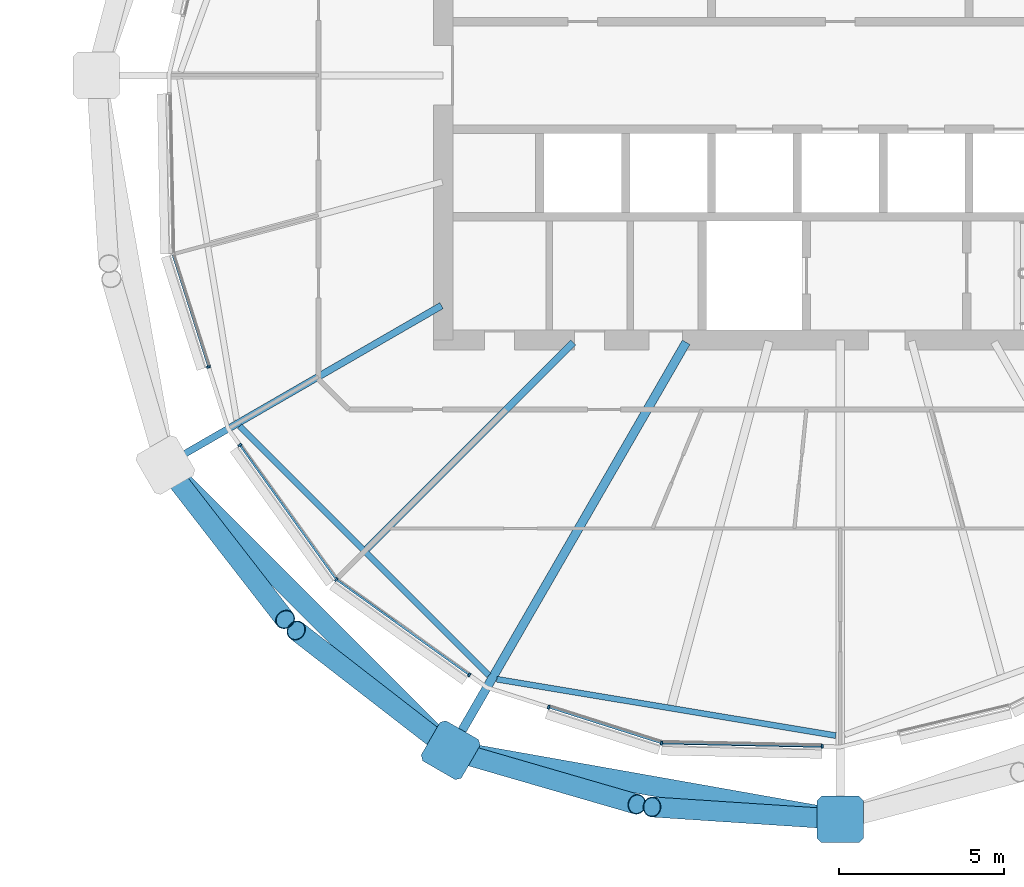
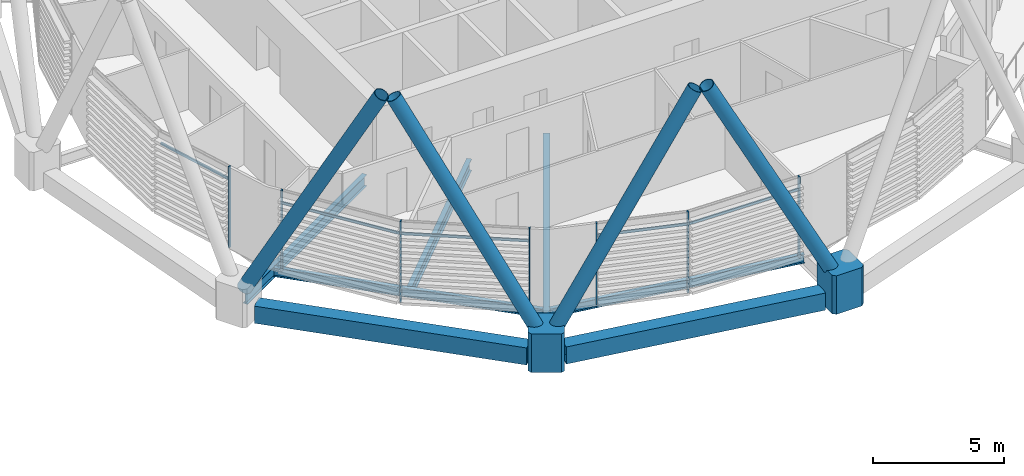
# One storey, part 13 of 36: 18 members, 7 beams, 1 element without a shape of its own.
"""IFC4 building model written with IfcOpenShell, lengths in metres."""

from ifc_helpers import new_model, si_unit, direction, frame, origin, origin_2d, place, context, subcontext, project, spatial, polyline, rectangle, hollow_rectangle, hollow_circle, i_section, outline, extrude, material, material_profile, profile_set, type_object, element, aggregate, save


model = new_model("IFC4")

# Units and contexts
model_context = context("Model", 3, precision=1e-05, world=origin(), true_north=direction((0.0, 1.0)))
body_context = subcontext(model_context, "Body", "Model", "MODEL_VIEW")
ifc_project = project(units=[si_unit("LENGTHUNIT", "METRE"), si_unit("AREAUNIT", "SQUARE_METRE"), si_unit("VOLUMEUNIT", "CUBIC_METRE"), si_unit("PLANEANGLEUNIT", "RADIAN"), si_unit("MASSUNIT", "GRAM", prefix="KILO")], contexts=[model_context])

# Site, building, storey
site_placement = place(None, origin())
site = spatial("IfcSite", under=ifc_project, at=site_placement, CompositionType="ELEMENT")
building_placement = place(site_placement, origin())
building = spatial("IfcBuilding", under=site, at=building_placement, Name="Rimbun Link Towers", CompositionType="ELEMENT")
storey_placement = place(building_placement, frame((0.0, 0.0, 193.10009765625)))
storey = spatial("IfcBuildingStorey", under=building, at=storey_placement, Name="L47", CompositionType="ELEMENT", Elevation=193.10009765625)

# Curtain wall, members
ifc_material_1 = material(Name="Aluminium 6063-T6 and low-iron glass", Category="aluminium")
curtain_wall_type = type_object("IfcCurtainWallType", Name="CW1-Z3 unitised vision wall (zone 3)", PredefinedType="NOTDEFINED", material=ifc_material_1)
curtain_wall_placement = place(storey_placement, origin())
curtain_wall = element("IfcCurtainWall", 1, at=curtain_wall_placement, inside=storey, type_object=curtain_wall_type, Name="CW1 L47 T2", PredefinedType="NOTDEFINED")
ifc_material_2 = material(Name="Aluminium 6063-T6", Category="aluminium")
ifc_material_profile_1 = material_profile(ifc_material_2, rectangle(XDim=0.1201171875, YDim=0.06005859375, at=origin_2d()), Name="MULLION 60X120")
ifc_profile_set_1 = profile_set([ifc_material_profile_1], Name="Aluminium 6063-T6")
member_type_1 = type_object("IfcMemberType", Name="CW1 mullion 60X120", PredefinedType="MULLION", material=ifc_profile_set_1)
member_1_placement = place(storey_placement, frame((12.653076171875, -8.811279296875, 0.0), z_axis=(0.0, 0.0, 1.0), x_axis=(-0.952967886603, -0.303071290464, 0.0)))
member_1 = element("IfcMember", 2, at=member_1_placement, type_object=member_type_1, Name="CW1 mullion", PredefinedType="MULLION", context=body_context, shape_type="SweptSolid", body=[
    extrude(rectangle(XDim=0.1201171875, YDim=0.06005859375, at=origin_2d()), origin(), (0.0, 0.0, 1.0), 3.7998046875),
])
member_2_placement = place(storey_placement, frame((16.516357421875, -15.233642578125, 0.0), z_axis=(0.0, 0.0, 1.0), x_axis=(-0.707106781187, -0.707106781187, 0.0)))
member_2 = element("IfcMember", 3, at=member_2_placement, type_object=member_type_1, Name="CW1 mullion", PredefinedType="MULLION", context=body_context, shape_type="SweptSolid", body=[
    extrude(rectangle(XDim=0.1201171875, YDim=0.06005859375, at=origin_2d()), origin(), (0.0, 0.0, 1.0), 3.7998046875),
])
member_3_placement = place(storey_placement, frame((13.602294921875, -11.173828125, 0.0), z_axis=(0.0, 0.0, 1.0), x_axis=(-0.81246545613, -0.583009333198, 0.0)))
member_3 = element("IfcMember", 4, at=member_3_placement, type_object=member_type_1, Name="CW1 mullion", PredefinedType="MULLION", context=body_context, shape_type="SweptSolid", body=[
    extrude(rectangle(XDim=0.1201171875, YDim=0.06005859375, at=origin_2d()), origin(), (0.0, 0.0, 1.0), 3.7998046875),
])
member_4_placement = place(storey_placement, frame((20.535400390625, -18.118408203125, 0.0), z_axis=(0.0, 0.0, 1.0), x_axis=(-0.583009333198, -0.81246545613, 0.0)))
member_4 = element("IfcMember", 5, at=member_4_placement, type_object=member_type_1, Name="CW1 mullion", PredefinedType="MULLION", context=body_context, shape_type="SweptSolid", body=[
    extrude(rectangle(XDim=0.1201171875, YDim=0.06005859375, at=origin_2d()), origin(), (0.0, 0.0, 1.0), 3.7998046875),
])
member_5_placement = place(storey_placement, frame((26.3486328125, -20.1806640625, 0.0), z_axis=(0.0, 0.0, 1.0), x_axis=(-0.16374971191, -0.9865019168, 0.0)))
member_5 = element("IfcMember", 6, at=member_5_placement, type_object=member_type_1, Name="CW1 mullion", PredefinedType="MULLION", context=body_context, shape_type="SweptSolid", body=[
    extrude(rectangle(XDim=0.1201171875, YDim=0.06005859375, at=origin_2d()), origin(), (0.0, 0.0, 1.0), 3.7998046875),
])
member_6_placement = place(storey_placement, frame((22.938720703125, -19.096923828125, 0.0), z_axis=(0.0, 0.0, 1.0), x_axis=(-0.303071290464, -0.952967886603, 0.0)))
member_6 = element("IfcMember", 7, at=member_6_placement, type_object=member_type_1, Name="CW1 mullion", PredefinedType="MULLION", context=body_context, shape_type="SweptSolid", body=[
    extrude(rectangle(XDim=0.1201171875, YDim=0.06005859375, at=origin_2d()), origin(), (0.0, 0.0, 1.0), 3.7998046875),
])
member_7_placement = place(storey_placement, frame((31.198974609375, -20.283447265625, 0.0), z_axis=(0.0, 0.0, 1.0), x_axis=(-0.021065527565, -0.999778097154, 0.0)))
member_7 = element("IfcMember", 8, at=member_7_placement, type_object=member_type_1, Name="CW1 mullion", PredefinedType="MULLION", context=body_context, shape_type="SweptSolid", body=[
    extrude(rectangle(XDim=0.1201171875, YDim=0.06005859375, at=origin_2d()), origin(), (0.0, 0.0, 1.0), 3.7998046875),
])
ifc_material_3 = material(Name="Aluminium 6063-T6", Category="aluminium")
ifc_material_profile_2 = material_profile(ifc_material_3, rectangle(XDim=0.06005859375, YDim=0.1201171875, at=origin_2d()), Name="TRANSOM 60X120")
ifc_profile_set_2 = profile_set([ifc_material_profile_2], Name="Aluminium 6063-T6")
member_type_2 = type_object("IfcMemberType", Name="CW1 transom 60X120", PredefinedType="USERDEFINED", material=ifc_profile_set_2)
member_8_placement = place(storey_placement, frame((12.64599609375, -8.781982421875, 3.199951171875), z_axis=(-0.303111767468, 0.952955012801, 0.0), x_axis=(-0.952955012801, -0.303111767468, 0.0)))
member_8 = element("IfcMember", 9, at=member_8_placement, type_object=member_type_2, Name="CW1 transom", ObjectType="TRANSOM", PredefinedType="USERDEFINED", context=body_context, shape_type="SweptSolid", body=[
    extrude(rectangle(XDim=0.06005859375, YDim=0.1201171875, at=origin_2d()), origin(), (0.0, 0.0, 1.0), 3.50927734375),
])
member_9_placement = place(storey_placement, frame((16.494384765625, -15.200439453125, 3.199951171875), z_axis=(-0.583013116195, 0.812462741512, 0.0), x_axis=(-0.812462741512, -0.583013116195, 0.0)))
member_9 = element("IfcMember", 10, at=member_9_placement, type_object=member_type_2, Name="CW1 transom", ObjectType="TRANSOM", PredefinedType="USERDEFINED", context=body_context, shape_type="SweptSolid", body=[
    extrude(rectangle(XDim=0.06005859375, YDim=0.1201171875, at=origin_2d()), origin(), (0.0, 0.0, 1.0), 4.927490234375),
])
member_10_placement = place(storey_placement, frame((20.51220703125, -18.099365234375, 3.199951171875), z_axis=(-0.812442893162, 0.583040775032, 0.0), x_axis=(-0.583040775032, -0.812442893162, 0.0)))
member_10 = element("IfcMember", 11, at=member_10_placement, type_object=member_type_2, Name="CW1 transom", ObjectType="TRANSOM", PredefinedType="USERDEFINED", context=body_context, shape_type="SweptSolid", body=[
    extrude(rectangle(XDim=0.06005859375, YDim=0.1201171875, at=origin_2d()), origin(), (0.0, 0.0, 1.0), 4.87744140625),
])
member_11_placement = place(storey_placement, frame((26.312255859375, -20.167724609375, 3.199951171875), z_axis=(-0.952955012801, 0.303111767468, 0.0), x_axis=(-0.303111767468, -0.952955012801, 0.0)))
member_11 = element("IfcMember", 12, at=member_11_placement, type_object=member_type_2, Name="CW1 transom", ObjectType="TRANSOM", PredefinedType="USERDEFINED", context=body_context, shape_type="SweptSolid", body=[
    extrude(rectangle(XDim=0.06005859375, YDim=0.1201171875, at=origin_2d()), origin(), (0.0, 0.0, 1.0), 3.50927734375),
])
member_12_placement = place(storey_placement, frame((31.1689453125, -20.28076171875, 3.199951171875), z_axis=(-0.999778828666, 0.021030781038, 0.0), x_axis=(-0.021030781038, -0.999778828666, 0.0)))
member_12 = element("IfcMember", 13, at=member_12_placement, type_object=member_type_2, Name="CW1 transom", ObjectType="TRANSOM", PredefinedType="USERDEFINED", context=body_context, shape_type="SweptSolid", body=[
    extrude(rectangle(XDim=0.06005859375, YDim=0.1201171875, at=origin_2d()), origin(), (0.0, 0.0, 1.0), 4.78271484375),
])
aggregate(curtain_wall, [member_1, member_2, member_3, member_4, member_5, member_6, member_7, member_8, member_9, member_10, member_11, member_12])

# Members
ifc_material_4 = material(Name="Steel S355J2H", Category="steel")
ifc_material_profile_3 = material_profile(ifc_material_4, hollow_circle(Radius=0.3046875, WallThickness=0.02490234375, at=origin_2d()), Name="Diagrid diagonal CHS 610x25")
ifc_profile_set_3 = profile_set([ifc_material_profile_3], Name="Steel S355J2H")
member_type_3 = type_object("IfcMemberType", Name="Diagrid diagonal CHS 610x25", PredefinedType="BRACE", material=ifc_profile_set_3)
for number, where, z_axis, x_axis, name in (
    (14, (11.498046875, -11.9638671875, 0.43994140625), (0.290707327666, -0.374977723071, 0.880273228516), (0.790313409012, 0.612702795437, 0.0), "Diagrid diagonal T2 L47-L50 11b"),
    (15, (19.7861328125, -20.251953125, 0.43994140625), (-0.374977723071, 0.290707327666, 0.880273228516), (-0.612702795437, -0.790313409012, 0.0), "Diagrid diagonal T2 L47-L50 13a"),
):
    element("IfcMember", number, at=place(storey_placement, frame(where, z_axis=z_axis, x_axis=x_axis)), inside=storey, type_object=member_type_3, Name=name, PredefinedType="BRACE", context=body_context, shape_type="SweptSolid", body=[
        extrude(hollow_circle(Radius=0.3046875, WallThickness=0.02490234375, at=origin_2d()), origin(), (0.0, 0.0, 1.0), 11.95068359375),
    ])
member_13_placement = place(storey_placement, frame((20.2001953125, -20.462890625, 0.44091796875), z_axis=(0.452934087612, -0.13146530095, 0.881797928624), x_axis=(0.278748220303, 0.9603642172, 0.0)))
element("IfcMember", 16, at=member_13_placement, inside=storey, type_object=member_type_3, Name="Diagrid diagonal T2 L47-L50 13b", PredefinedType="BRACE", context=body_context, shape_type="SweptSolid", body=[
    extrude(hollow_circle(Radius=0.3046875, WallThickness=0.02490234375, at=origin_2d()), origin(), (0.0, 0.0, 1.0), 11.927978515625),
])
member_14_placement = place(storey_placement, frame((31.51953125, -22.469970703125, 0.443359375), z_axis=(-0.460692482937, 0.030219811861, 0.887045206929), x_axis=(-0.065455820602, -0.997855468266, 0.0)))
element("IfcMember", 17, at=member_14_placement, inside=storey, type_object=member_type_3, Name="Diagrid diagonal T2 L47-L50 15a", PredefinedType="BRACE", context=body_context, shape_type="SweptSolid", body=[
    extrude(hollow_circle(Radius=0.3046875, WallThickness=0.02490234375, at=origin_2d()), origin(), (0.0, 0.0, 1.0), 11.8515625),
])
ifc_material_5 = material(Name="Cast steel G20Mn5+QT, Rp0.2 300 MPa", Category="steel")
ifc_material_profile_4 = material_profile(ifc_material_5, outline(polyline([(0.699951171875, -0.570068359375), (0.699951171875, 0.570068359375), (0.570068359375, 0.699951171875), (-0.570068359375, 0.699951171875), (-0.699951171875, 0.570068359375), (-0.699951171875, -0.570068359375), (-0.570068359375, -0.699951171875), (0.570068359375, -0.699951171875), (0.699951171875, -0.570068359375)])), Name="NODE 1400x1400")
ifc_profile_set_4 = profile_set([ifc_material_profile_4], Name="Cast steel G20Mn5+QT, Rp0.2 300 MPa")
member_type_4 = type_object("IfcMemberType", Name="Diagrid node cast 1400", PredefinedType="USERDEFINED", material=ifc_profile_set_4)
for number, where, z_axis, x_axis, name in (
    (18, (19.9736328125, -20.397216796875, -0.900146484375), (0.0, 0.0, 1.0), (-0.5, -0.866025403784, 0.0), "Diagrid node L47 13"),
    (19, (31.75, -22.485107421875, -0.900146484375), (0.0, 0.0, 1.0), (0.0, -1.0, 0.0), "Diagrid node L47 15"),
):
    element("IfcMember", number, at=place(storey_placement, frame(where, z_axis=z_axis, x_axis=x_axis)), inside=storey, type_object=member_type_4, Name=name, ObjectType="Diagrid node", PredefinedType="USERDEFINED", context=body_context, shape_type="SweptSolid", body=[
        extrude(outline(polyline([(0.699951171875, -0.570068359375), (0.699951171875, 0.570068359375), (0.570068359375, 0.699951171875), (-0.570068359375, 0.699951171875), (-0.699951171875, 0.570068359375), (-0.699951171875, -0.570068359375), (-0.570068359375, -0.699951171875), (0.570068359375, -0.699951171875), (0.699951171875, -0.570068359375)])), origin(), (0.0, 0.0, 1.0), 1.800048828125),
    ])

# Beams
ifc_material_6 = material(Name="Steel S355J2", Category="steel")
ifc_material_profile_5 = material_profile(ifc_material_6, hollow_rectangle(XDim=0.60009765625, YDim=0.800048828125, WallThickness=0.0400390625, at=origin_2d()), Name="Exoskeleton ring girder BOX 600x800x40")
ifc_profile_set_5 = profile_set([ifc_material_profile_5], Name="Steel S355J2")
beam_type_1 = type_object("IfcBeamType", Name="Exoskeleton ring girder BOX 600x800x40", PredefinedType="BEAM", material=ifc_profile_set_5)
beam_1_placement = place(storey_placement, frame((11.84765625, -12.271484375, -0.56005859375), z_axis=(0.707106781187, -0.707106781187, 0.0), x_axis=(0.707106781187, 0.707106781187, 0.0)))
element("IfcBeam", 20, at=beam_1_placement, inside=storey, type_object=beam_type_1, Name="Exoskeleton ring girder L47 05", PredefinedType="BEAM", context=body_context, shape_type="SweptSolid", body=[
    extrude(hollow_rectangle(XDim=0.60009765625, YDim=0.800048828125, WallThickness=0.0400390625, at=origin_2d()), origin(), (0.0, 0.0, 1.0), 10.791748046875),
])
beam_2_placement = place(storey_placement, frame((20.662841796875, -20.51953125, -0.56005859375), z_axis=(0.984648270208, -0.17455023339, 0.0), x_axis=(0.17455023339, 0.984648270208, 0.0)))
element("IfcBeam", 21, at=beam_2_placement, inside=storey, type_object=beam_type_1, Name="Exoskeleton ring girder L47 06", PredefinedType="BEAM", context=body_context, shape_type="SweptSolid", body=[
    extrude(hollow_rectangle(XDim=0.60009765625, YDim=0.800048828125, WallThickness=0.0400390625, at=origin_2d()), origin(), (0.0, 0.0, 1.0), 10.56005859375),
])
ifc_material_7 = material(Name="Steel S355J2", Category="steel")
ifc_material_profile_6 = material_profile(ifc_material_7, i_section(OverallWidth=0.177978515625, OverallDepth=0.406494140625, WebThickness=0.0078125, FlangeThickness=0.0126953125, at=origin_2d()), Name="UB 406x178x60")
ifc_profile_set_6 = profile_set([ifc_material_profile_6], Name="Steel S355J2")
beam_type_2 = type_object("IfcBeamType", Name="UB 406x178x60", PredefinedType="BEAM", material=ifc_profile_set_6)
beam_3_placement = place(storey_placement, frame((13.60009765625, -10.6005859375, -0.353271484375), z_axis=(0.707118246884, -0.707095315303, 0.0), x_axis=(0.707095315303, 0.707118246884, 0.0)))
element("IfcBeam", 22, at=beam_3_placement, inside=storey, type_object=beam_type_2, Name="Edge beam T2 L47 11-13", PredefinedType="BEAM", context=body_context, shape_type="SweptSolid", body=[
    extrude(i_section(OverallWidth=0.177978515625, OverallDepth=0.406494140625, WebThickness=0.0078125, FlangeThickness=0.0126953125, at=origin_2d()), origin(), (0.0, 0.0, 1.0), 10.646484375),
])
beam_4_placement = place(storey_placement, frame((21.3681640625, -18.25048828125, -0.353271484375), z_axis=(0.986434544203, -0.164155079127, 0.0), x_axis=(0.164155079127, 0.986434544203, 0.0)))
element("IfcBeam", 23, at=beam_4_placement, inside=storey, type_object=beam_type_2, Name="Edge beam T2 L47 13-15", PredefinedType="BEAM", context=body_context, shape_type="SweptSolid", body=[
    extrude(i_section(OverallWidth=0.177978515625, OverallDepth=0.406494140625, WebThickness=0.0078125, FlangeThickness=0.0126953125, at=origin_2d()), origin(), (0.0, 0.0, 1.0), 10.388427734375),
])
ifc_material_8 = material(Name="Steel S355J2", Category="steel")
ifc_material_profile_7 = material_profile(ifc_material_8, i_section(OverallWidth=0.209228515625, OverallDepth=0.533203125, WebThickness=0.010009765625, FlangeThickness=0.015625, at=origin_2d()), Name="UB 533x210x92")
ifc_profile_set_7 = profile_set([ifc_material_profile_7], Name="Steel S355J2")
beam_type_3 = type_object("IfcBeamType", Name="UB 533x210x92", PredefinedType="BEAM", material=ifc_profile_set_7)
beam_5_placement = place(storey_placement, frame((19.69677734375, -6.958984375, -0.416748046875), z_axis=(-0.866030705461, -0.499990817114, 0.0), x_axis=(0.499990817114, -0.866030705461, 0.0)))
element("IfcBeam", 24, at=beam_5_placement, inside=storey, type_object=beam_type_3, Name="Radial beam T2 L47 11", PredefinedType="BEAM", context=body_context, shape_type="SweptSolid", body=[
    extrude(i_section(OverallWidth=0.209228515625, OverallDepth=0.533203125, WebThickness=0.010009765625, FlangeThickness=0.015625, at=origin_2d()), origin(), (0.0, 0.0, 1.0), 9.135009765625),
])
beam_6_placement = place(storey_placement, frame((23.67529296875, -8.07470703125, -0.416748046875), z_axis=(-0.707106781187, -0.707106781187, 0.0), x_axis=(0.707106781187, -0.707106781187, 0.0)))
element("IfcBeam", 25, at=beam_6_placement, inside=storey, type_object=beam_type_3, Name="Radial beam T2 L47 12", PredefinedType="BEAM", context=body_context, shape_type="SweptSolid", body=[
    extrude(i_section(OverallWidth=0.209228515625, OverallDepth=0.533203125, WebThickness=0.010009765625, FlangeThickness=0.015625, at=origin_2d()), origin(), (0.0, 0.0, 1.0), 8.820068359375),
])
ifc_material_9 = material(Name="Steel S355J2", Category="steel")
ifc_material_profile_8 = material_profile(ifc_material_9, i_section(OverallWidth=0.2666015625, OverallDepth=0.76220703125, WebThickness=0.014404296875, FlangeThickness=0.021484375, at=origin_2d()), Name="UB 762x267x173")
ifc_profile_set_8 = profile_set([ifc_material_profile_8], Name="Steel S355J2")
beam_type_4 = type_object("IfcBeamType", Name="UB 762x267x173", PredefinedType="BEAM", material=ifc_profile_set_8)
beam_7_placement = place(storey_placement, frame((27.09228515625, -8.0673828125, -0.53125), z_axis=(-0.49999628631, -0.866027547874, 0.0), x_axis=(0.866027547874, -0.49999628631, 0.0)))
element("IfcBeam", 26, at=beam_7_placement, inside=storey, type_object=beam_type_4, Name="Radial beam T2 L47 13", PredefinedType="BEAM", context=body_context, shape_type="SweptSolid", body=[
    extrude(i_section(OverallWidth=0.2666015625, OverallDepth=0.76220703125, WebThickness=0.014404296875, FlangeThickness=0.021484375, at=origin_2d()), origin(), (0.0, 0.0, 1.0), 13.7373046875),
])

save(model, "model.ifc")
